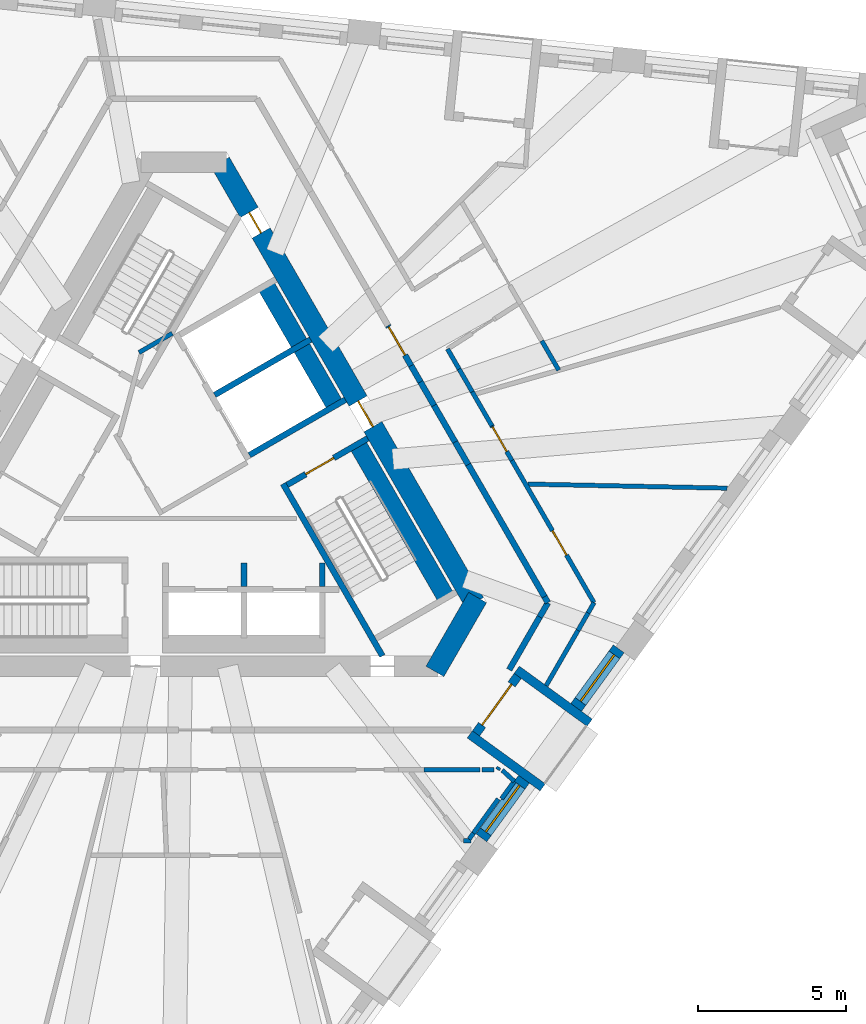
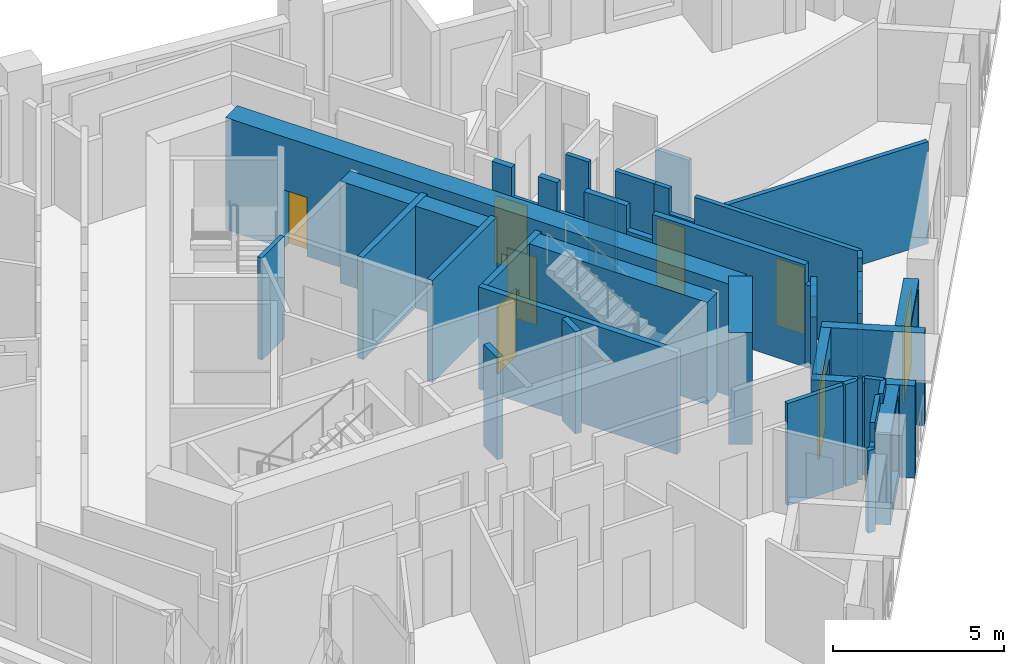
# One storey, part 5 of 11: 43 walls, 7 doors, 2 windows, 9 openings.
"""IFC4 building model written with IfcOpenShell, lengths in metres."""

from ifc_helpers import new_model, si_unit, direction, frame, frame_2d, origin, place, context, subcontext, project, spatial, polyline, rectangle, outline, extrude, material, layer, layer_set, type_object, element, fill, save


model = new_model("IFC4")

# Units and contexts
model_context = context("Model", 3, precision=1e-05, world=origin(), true_north=direction((0.0, 1.0)))
body_context = subcontext(model_context, "Body", "Model", "MODEL_VIEW")
ifc_project = project(units=[si_unit("LENGTHUNIT", "METRE"), si_unit("AREAUNIT", "SQUARE_METRE"), si_unit("VOLUMEUNIT", "CUBIC_METRE"), si_unit("PLANEANGLEUNIT", "RADIAN"), si_unit("MASSUNIT", "GRAM", prefix="KILO")], contexts=[model_context])

# Site, building, storey
site_placement = place(None, origin())
site = spatial("IfcSite", under=ifc_project, at=site_placement, CompositionType="ELEMENT")
building_placement = place(site_placement, origin())
building = spatial("IfcBuilding", under=site, at=building_placement, Name="Tramontana Tower", CompositionType="ELEMENT")
storey_placement = place(building_placement, frame((0.0, 0.0, 257.199951171875)))
storey = spatial("IfcBuildingStorey", under=building, at=storey_placement, Name="L60", CompositionType="ELEMENT", Elevation=257.199951171875)

# Wall
ifc_material_1 = material(Name="Concrete 70 MPa", Category="concrete")
ifc_layer_1 = layer(ifc_material_1, 0.699951171875)
ifc_layer_set_1 = layer_set([ifc_layer_1], Name="Core wall 700 70 MPa")
wall_type_1 = type_object("IfcWallType", Name="Core wall 700 70 MPa", PredefinedType="SHEAR", material=ifc_layer_set_1)
wall_1_placement = place(storey_placement, frame((8.50146484375, -6.574951171875, 0.0), z_axis=(0.0, 0.0, 1.0), x_axis=(0.499995765644, 0.866027848477, 0.0)))
element("IfcWall", 1, at=wall_1_placement, inside=storey, type_object=wall_type_1, Name="Core wall C4 L60", PredefinedType="SHEAR", context=body_context, shape_type="SweptSolid", body=[
    extrude(rectangle(XDim=2.88671875, YDim=0.699951171875, at=frame_2d((1.443359375, 0.0))), origin(), (0.0, 0.0, 1.0), 4.0),
])

# Wall, openings, doors
wall_2_placement = place(storey_placement, frame((9.84375, -4.25, 0.0), z_axis=(0.0, 0.0, 1.0), x_axis=(-0.500003331888, 0.866023480109, 0.0)))
wall_2 = element("IfcWall", 2, at=wall_2_placement, inside=storey, type_object=wall_type_1, Name="Core wall C5 L60", PredefinedType="SHEAR", context=body_context, shape_type="SweptSolid", body=[
    extrude(rectangle(XDim=17.205078125, YDim=0.699951171875, at=frame_2d((8.6025390625, 0.0))), origin(), (0.0, 0.0, 1.0), 4.0),
])
opening_1_placement = place(wall_2_placement, frame((6.87744140625, 0.0, 0.0)))
opening_1 = element("IfcOpeningElement", 3, at=opening_1_placement, cuts=wall_2, Name="Opening RG3", PredefinedType="OPENING", context=body_context, shape_type="SweptSolid", body=[
    extrude(rectangle(XDim=1.0, YDim=2.39990234375, at=frame_2d((0.5, 1.199951171875))), frame((0.0, 0.35986328125, 0.0), z_axis=(0.0, -1.0, 0.0), x_axis=(1.0, 0.0, 0.0)), (0.0, 0.0, 1.0), 0.719970703125),
])
opening_2_placement = place(wall_2_placement, frame((14.445068359375, 0.0, 0.0)))
opening_2 = element("IfcOpeningElement", 4, at=opening_2_placement, cuts=wall_2, Name="Opening PD3", PredefinedType="OPENING", context=body_context, shape_type="SweptSolid", body=[
    extrude(rectangle(XDim=0.800048828125, YDim=2.10009765625, at=frame_2d((0.39990234375, 1.050048828125))), frame((0.0, 0.35986328125, 0.0), z_axis=(0.0, -1.0, 0.0), x_axis=(1.0, 0.0, 0.0)), (0.0, 0.0, 1.0), 0.719970703125),
])
ifc_material_2 = material(Name="Painted steel", Category="steel")
door_type_1 = type_object("IfcDoorType", Name="CUPBOARD DOOR 800", OperationType="SINGLE_SWING_LEFT", PredefinedType="DOOR", material=ifc_material_2)
door_1_placement = place(opening_2_placement, origin())
door_1 = element("IfcDoor", 5, at=door_1_placement, inside=storey, type_object=door_type_1, Name="Door PD3", OperationType="SINGLE_SWING_RIGHT", OverallHeight=2.10009765625, OverallWidth=0.800048828125, PredefinedType="DOOR", context=body_context, shape_type="SweptSolid", body=[
    extrude(rectangle(XDim=0.800048828125, YDim=2.10009765625, at=frame_2d((0.39990234375, 1.050048828125))), frame((0.0, 0.02490234375, 0.0), z_axis=(0.0, -1.0, 0.0), x_axis=(1.0, 0.0, 0.0)), (0.0, 0.0, 1.0), 0.050048828125),
])
fill(opening_2, door_1)
ifc_material_3 = material(Name="Painted steel", Category="steel")
door_type_2 = type_object("IfcDoorType", Name="RING DOOR 1000", OperationType="SINGLE_SWING_LEFT", PredefinedType="DOOR", material=ifc_material_3)
door_2_placement = place(opening_1_placement, origin())
door_2 = element("IfcDoor", 6, at=door_2_placement, inside=storey, type_object=door_type_2, Name="Door RG3", OperationType="SINGLE_SWING_RIGHT", OverallHeight=2.39990234375, OverallWidth=1.0, PredefinedType="DOOR", context=body_context, shape_type="SweptSolid", body=[
    extrude(rectangle(XDim=1.0, YDim=2.39990234375, at=frame_2d((0.5, 1.199951171875))), frame((0.0, 0.02490234375, 0.0), z_axis=(0.0, -1.0, 0.0), x_axis=(1.0, 0.0, 0.0)), (0.0, 0.0, 1.0), 0.050048828125),
])
fill(opening_1, door_2)

# Walls
ifc_material_4 = material(Name="Blockwork", Category="masonry")
ifc_layer_2 = layer(ifc_material_4, 0.199951171875)
ifc_layer_set_2 = layer_set([ifc_layer_2], Name="ENTRY WALL 200")
wall_type_2 = type_object("IfcWallType", Name="ENTRY WALL 200", PredefinedType="SOLIDWALL", material=ifc_layer_set_2)
wall_3_placement = place(storey_placement, frame((12.326416015625, -4.25, 0.0), z_axis=(0.0, 0.0, 1.0), x_axis=(-0.500000383388, -0.866025182435, 0.0)))
element("IfcWall", 7, at=wall_3_placement, inside=storey, type_object=wall_type_2, Name="Wall v61-ew0-0", PredefinedType="SOLIDWALL", context=body_context, shape_type="SweptSolid", body=[
    extrude(rectangle(XDim=0.5576171875, YDim=0.199951171875, at=frame_2d((0.27880859375, 0.0))), origin(), (0.0, 0.0, 1.0), 2.949951171875),
])
wall_4_placement = place(storey_placement, frame((12.047607421875, -4.73291015625, 0.0), z_axis=(0.0, 0.0, 1.0), x_axis=(-0.499958106649, -0.866049589571, 0.0)))
element("IfcWall", 8, at=wall_4_placement, inside=storey, type_object=wall_type_2, Name="Wall v61-ew0-1", PredefinedType="SOLIDWALL", context=body_context, shape_type="SweptSolid", body=[
    extrude(rectangle(XDim=2.062744140625, YDim=0.199951171875, at=frame_2d((1.03125, 0.0))), origin(), (0.0, 0.0, 1.0), 3.650146484375),
])

# Wall, opening, door
wall_5_placement = place(storey_placement, frame((6.914306640625, 5.124267578125, 0.0), z_axis=(0.0, 0.0, 1.0), x_axis=(0.499861922145, -0.866105108396, 0.0)))
wall_5 = element("IfcWall", 9, at=wall_5_placement, inside=storey, type_object=wall_type_2, Name="Wall v61-ew5-5", PredefinedType="SOLIDWALL", context=body_context, shape_type="SweptSolid", body=[
    extrude(outline(polyline([(0.0, 0.0), (1.56591796875, 0.0), (1.56591796875, 2.550048828125), (0.665771484375, 2.550048828125), (0.665771484375, 3.650146484375), (0.0, 3.650146484375), (0.0, 0.0)])), frame((0.0, 0.10009765625, 0.0), z_axis=(0.0, -1.0, 0.0), x_axis=(1.0, 0.0, 0.0)), (0.0, 0.0, 1.0), 0.199951171875),
])
opening_3_placement = place(wall_5_placement, frame((0.050048828125, 0.0, 0.0)))
opening_3 = element("IfcOpeningElement", 10, at=opening_3_placement, cuts=wall_5, Name="Opening B6B-23", PredefinedType="OPENING", context=body_context, shape_type="SweptSolid", body=[
    extrude(rectangle(XDim=1.10009765625, YDim=2.39990234375, at=frame_2d((0.550048828125, 1.199951171875))), frame((0.0, 0.10986328125, 0.0), z_axis=(0.0, -1.0, 0.0), x_axis=(1.0, 0.0, 0.0)), (0.0, 0.0, 1.0), 0.219970703125),
])
ifc_material_5 = material(Name="Painted timber", Category="wood")
door_type_3 = type_object("IfcDoorType", Name="DOOR ENTRY 1100", OperationType="SINGLE_SWING_LEFT", PredefinedType="DOOR", material=ifc_material_5)
door_3_placement = place(opening_3_placement, origin())
door_3 = element("IfcDoor", 11, at=door_3_placement, inside=storey, type_object=door_type_3, Name="Door B6B-23", OperationType="SINGLE_SWING_LEFT", OverallHeight=2.39990234375, OverallWidth=1.10009765625, PredefinedType="DOOR", context=body_context, shape_type="SweptSolid", body=[
    extrude(rectangle(XDim=1.10009765625, YDim=2.39990234375, at=frame_2d((0.550048828125, 1.199951171875))), frame((0.0, 0.02490234375, 0.0), z_axis=(0.0, -1.0, 0.0), x_axis=(1.0, 0.0, 0.0)), (0.0, 0.0, 1.0), 0.050048828125),
])
fill(opening_3, door_3)

# Walls
wall_6_placement = place(storey_placement, frame((7.697021484375, 3.76806640625, 0.0), z_axis=(0.0, 0.0, 1.0), x_axis=(0.50012328804, -0.865954211699, 0.0)))
element("IfcWall", 12, at=wall_6_placement, inside=storey, type_object=wall_type_2, Name="Wall v61-ew5-6", PredefinedType="SOLIDWALL", context=body_context, shape_type="SweptSolid", body=[
    extrude(rectangle(XDim=0.632568359375, YDim=0.199951171875, at=frame_2d((0.31640625, 0.0))), origin(), (0.0, 0.0, 1.0), 3.650146484375),
])
wall_7_placement = place(storey_placement, frame((8.013427734375, 3.22021484375, 0.0), z_axis=(0.0, 0.0, 1.0), x_axis=(0.500175591747, -0.865924002104, 0.0)))
element("IfcWall", 13, at=wall_7_placement, inside=storey, type_object=wall_type_2, Name="Wall v61-ew5-7", PredefinedType="SOLIDWALL", context=body_context, shape_type="SweptSolid", body=[
    extrude(rectangle(XDim=0.917236328125, YDim=0.199951171875, at=frame_2d((0.45849609375, 0.0))), origin(), (0.0, 0.0, 1.0), 2.550048828125),
])
wall_8_placement = place(storey_placement, frame((8.47216796875, 2.426025390625, 0.0), z_axis=(0.0, 0.0, 1.0), x_axis=(0.499904796234, -0.866080362727, 0.0)))
element("IfcWall", 14, at=wall_8_placement, inside=storey, type_object=wall_type_2, Name="Wall v61-ew5-8", PredefinedType="SOLIDWALL", context=body_context, shape_type="SweptSolid", body=[
    extrude(rectangle(XDim=1.429443359375, YDim=0.199951171875, at=frame_2d((0.71484375, 0.0))), origin(), (0.0, 0.0, 1.0), 3.650146484375),
])
wall_9_placement = place(storey_placement, frame((9.186767578125, 1.18798828125, 0.0), z_axis=(0.0, 0.0, 1.0), x_axis=(0.500121072013, -0.86595549154, 0.0)))
element("IfcWall", 15, at=wall_9_placement, inside=storey, type_object=wall_type_2, Name="Wall v61-ew5-9", PredefinedType="SOLIDWALL", context=body_context, shape_type="SweptSolid", body=[
    extrude(rectangle(XDim=0.883544921875, YDim=0.199951171875, at=frame_2d((0.44189453125, 0.0))), origin(), (0.0, 0.0, 1.0), 2.75),
])
wall_10_placement = place(storey_placement, frame((9.628662109375, 0.4228515625, 0.0), z_axis=(0.0, 0.0, 1.0), x_axis=(0.499995433041, -0.866028040503, 0.0)))
element("IfcWall", 16, at=wall_10_placement, inside=storey, type_object=wall_type_2, Name="Wall v61-ew5-10", PredefinedType="SOLIDWALL", context=body_context, shape_type="SweptSolid", body=[
    extrude(rectangle(XDim=5.1611328125, YDim=0.199951171875, at=frame_2d((2.58056640625, 0.0))), origin(), (0.0, 0.0, 1.0), 3.650146484375),
])
wall_11_placement = place(storey_placement, frame((12.209228515625, -4.046875, 0.0), z_axis=(0.0, 0.0, 1.0), x_axis=(0.49972245349, -0.866185586049, 0.0)))
element("IfcWall", 17, at=wall_11_placement, inside=storey, type_object=wall_type_2, Name="Wall v61-ew5-11", PredefinedType="SOLIDWALL", context=body_context, shape_type="SweptSolid", body=[
    extrude(rectangle(XDim=0.234619140625, YDim=0.199951171875, at=frame_2d((0.1171875, 0.0))), origin(), (0.0, 0.0, 1.0), 2.949951171875),
])

# Wall, opening, window
ifc_material_6 = material(Name="Precast concrete 60 MPa", Category="concrete")
ifc_layer_3 = layer(ifc_material_6, 0.449951171875)
ifc_layer_set_3 = layer_set([ifc_layer_3], Name="Precast concrete 60 MPa, 450 mm")
wall_type_3 = type_object("IfcWallType", Name="EW1 Stone-faced precast wall 450", PredefinedType="SOLIDWALL", material=ifc_layer_set_3)
wall_12_placement = place(storey_placement, frame((10.074462890625, -12.2060546875, 0.0), z_axis=(0.0, 0.0, 1.0), x_axis=(0.587792773076, 0.809011530152, 0.0)))
wall_12 = element("IfcWall", 18, at=wall_12_placement, inside=storey, type_object=wall_type_3, Name="External wall L60 face 1 bay 3", PredefinedType="SOLIDWALL", context=body_context, shape_type="SweptSolid", body=[
    extrude(rectangle(XDim=2.4521484375, YDim=0.449951171875, at=frame_2d((1.22607421875, 0.0))), origin(), (0.0, 0.0, 1.0), 3.300048828125),
])
opening_4_placement = place(wall_12_placement, frame((0.251220703125, 0.0, 0.39990234375)))
opening_4 = element("IfcOpeningElement", 19, at=opening_4_placement, cuts=wall_12, Name="Opening M3", PredefinedType="OPENING", context=body_context, shape_type="SweptSolid", body=[
    extrude(rectangle(XDim=1.949951171875, YDim=2.75, at=frame_2d((0.97509765625, 1.375))), frame((0.0, 0.23486328125, 0.0), z_axis=(0.0, -1.0, 0.0), x_axis=(1.0, 0.0, 0.0)), (0.0, 0.0, 1.0), 0.469970703125),
])
ifc_material_7 = material(Name="Aluminum frame, double glazing unit", Category="aluminium")
window_type = type_object("IfcWindowType", Name="M3 Window 1.95 x 2.75", PartitioningType="SINGLE_PANEL", PredefinedType="WINDOW", material=ifc_material_7)
window_1_placement = place(opening_4_placement, origin())
window_1 = element("IfcWindow", 20, at=window_1_placement, inside=storey, type_object=window_type, Name="Window M3 L60 face 1 module 7", OverallHeight=2.75, OverallWidth=1.949951171875, PartitioningType="SINGLE_PANEL", PredefinedType="WINDOW", context=body_context, shape_type="SweptSolid", body=[
    extrude(rectangle(XDim=1.949951171875, YDim=2.75, at=frame_2d((0.97509765625, 1.375))), frame((0.0, 0.030029296875, 0.0), z_axis=(0.0, -1.0, 0.0), x_axis=(1.0, 0.0, 0.0)), (0.0, 0.0, 1.0), 0.06005859375),
])
fill(opening_4, window_1)

wall_13_placement = place(storey_placement, frame((13.280517578125, -7.79345703125, 0.0), z_axis=(0.0, 0.0, 1.0), x_axis=(0.587792773076, 0.809011530152, 0.0)))
wall_13 = element("IfcWall", 21, at=wall_13_placement, inside=storey, type_object=wall_type_3, Name="External wall L60 face 1 bay 3", PredefinedType="SOLIDWALL", context=body_context, shape_type="SweptSolid", body=[
    extrude(rectangle(XDim=2.4521484375, YDim=0.449951171875, at=frame_2d((1.22607421875, 0.0))), origin(), (0.0, 0.0, 1.0), 3.300048828125),
])
opening_5_placement = place(wall_13_placement, frame((0.251220703125, 0.0, 0.39990234375)))
opening_5 = element("IfcOpeningElement", 22, at=opening_5_placement, cuts=wall_13, Name="Opening M3", PredefinedType="OPENING", context=body_context, shape_type="SweptSolid", body=[
    extrude(rectangle(XDim=1.949951171875, YDim=2.75, at=frame_2d((0.97509765625, 1.375))), frame((0.0, 0.23486328125, 0.0), z_axis=(0.0, -1.0, 0.0), x_axis=(1.0, 0.0, 0.0)), (0.0, 0.0, 1.0), 0.469970703125),
])
window_2_placement = place(opening_5_placement, origin())
window_2 = element("IfcWindow", 23, at=window_2_placement, inside=storey, type_object=window_type, Name="Window M3 L60 face 1 module 9", OverallHeight=2.75, OverallWidth=1.949951171875, PartitioningType="SINGLE_PANEL", PredefinedType="WINDOW", context=body_context, shape_type="SweptSolid", body=[
    extrude(rectangle(XDim=1.949951171875, YDim=2.75, at=frame_2d((0.97509765625, 1.375))), frame((0.0, 0.030029296875, 0.0), z_axis=(0.0, -1.0, 0.0), x_axis=(1.0, 0.0, 0.0)), (0.0, 0.0, 1.0), 0.06005859375),
])
fill(opening_5, window_2)

# Wall, opening, door
ifc_material_8 = material(Name="Precast concrete 60 MPa", Category="concrete")
ifc_layer_4 = layer(ifc_material_8, 0.300048828125)
ifc_layer_set_4 = layer_set([ifc_layer_4], Name="LW1 Stone-faced loggia wall 300")
wall_type_4 = type_object("IfcWallType", Name="LW1 Stone-faced loggia wall 300", PredefinedType="SOLIDWALL", material=ifc_layer_set_4)
wall_14_placement = place(storey_placement, frame((9.89208984375, -8.671630859375, 0.0), z_axis=(0.0, 0.0, 1.0), x_axis=(0.587833242688, 0.808982125137, 0.0)))
wall_14 = element("IfcWall", 24, at=wall_14_placement, inside=storey, type_object=wall_type_4, Name="Loggia wall L60 G6S1.7", PredefinedType="SOLIDWALL", context=body_context, shape_type="SweptSolid", body=[
    extrude(rectangle(XDim=2.40234375, YDim=0.300048828125, at=frame_2d((1.201171875, 0.0))), origin(), (0.0, 0.0, 1.0), 3.300048828125),
])
opening_6_placement = place(wall_14_placement, frame((0.35107421875, 0.0, 0.0)))
opening_6 = element("IfcOpeningElement", 25, at=opening_6_placement, cuts=wall_14, Name="Opening BD-6S1-07", PredefinedType="OPENING", context=body_context, shape_type="SweptSolid", body=[
    extrude(rectangle(XDim=1.699951171875, YDim=2.5, at=frame_2d((0.85009765625, 1.25))), frame((0.0, 0.159912109375, 0.0), z_axis=(0.0, -1.0, 0.0), x_axis=(1.0, 0.0, 0.0)), (0.0, 0.0, 1.0), 0.320068359375),
])
ifc_material_9 = material(Name="Aluminum frame, double glazing unit", Category="aluminium")
door_type_4 = type_object("IfcDoorType", Name="BD3 Sliding door 1.7 x 2.5", OperationType="SLIDING_TO_LEFT", PredefinedType="DOOR", material=ifc_material_9)
door_4_placement = place(opening_6_placement, origin())
door_4 = element("IfcDoor", 26, at=door_4_placement, inside=storey, type_object=door_type_4, Name="Loggia door L60 G6S1.7", OperationType="SLIDING_TO_LEFT", OverallHeight=2.5, OverallWidth=1.699951171875, PredefinedType="DOOR", context=body_context, shape_type="SweptSolid", body=[
    extrude(rectangle(XDim=1.699951171875, YDim=2.5, at=frame_2d((0.85009765625, 1.25))), frame((0.0, 0.02490234375, 0.0), z_axis=(0.0, -1.0, 0.0), x_axis=(1.0, 0.0, 0.0)), (0.0, 0.0, 1.0), 0.050048828125),
])
fill(opening_6, door_4)

# Walls
for number, where, z_axis, x_axis, name in (
    (27, (12.150146484375, -10.49755859375, 0.0), (0.0, 0.0, 1.0), (-0.80902328748, 0.587776590479, 0.0), "Loggia return L60 G6S1.7a"),
    (28, (13.738525390625, -8.3115234375, 0.0), (0.0, 0.0, 1.0), (-0.80902328748, 0.587776590479, 0.0), "Loggia return L60 G6S1.7b"),
):
    element("IfcWall", number, at=place(storey_placement, frame(where, z_axis=z_axis, x_axis=x_axis)), inside=storey, type_object=wall_type_4, Name=name, PredefinedType="SOLIDWALL", context=body_context, shape_type="SweptSolid", body=[
        extrude(rectangle(XDim=3.050048828125, YDim=0.300048828125, at=frame_2d((1.52490234375, 0.0))), origin(), (0.0, 0.0, 1.0), 3.300048828125),
    ])
ifc_material_10 = material(Name="Gypsum board partition")
ifc_layer_5 = layer(ifc_material_10, 0.14990234375)
ifc_layer_set_5 = layer_set([ifc_layer_5], Name="PARTITION 150")
wall_type_5 = type_object("IfcWallType", Name="PARTITION 150", PredefinedType="PARTITIONING", material=ifc_layer_set_5)
wall_15_placement = place(storey_placement, frame((-1.509765625, 4.21484375, 0.0), z_axis=(0.0, 0.0, 1.0), x_axis=(0.866085525409, 0.49989585183, 0.0)))
element("IfcWall", 29, at=wall_15_placement, inside=storey, type_object=wall_type_5, Name="Wall ff-end1", PredefinedType="PARTITIONING", context=body_context, shape_type="SweptSolid", body=[
    extrude(rectangle(XDim=1.300048828125, YDim=0.14990234375, at=frame_2d((0.64990234375, 0.0))), origin(), (0.0, 0.0, 1.0), 3.650146484375),
])
wall_16_placement = place(storey_placement, frame((8.928955078125, 4.334716796875, 0.0), z_axis=(0.0, 0.0, 1.0), x_axis=(0.499919935369, -0.866071624186, 0.0)))
element("IfcWall", 30, at=wall_16_placement, inside=storey, type_object=wall_type_5, Name="Wall v61-pw24-0", PredefinedType="PARTITIONING", context=body_context, shape_type="SweptSolid", body=[
    extrude(rectangle(XDim=0.784912109375, YDim=0.14990234375, at=frame_2d((0.392578125, 0.0))), origin(), (0.0, 0.0, 1.0), 3.650146484375),
])
wall_17_placement = place(storey_placement, frame((9.3212890625, 3.655029296875, 0.0), z_axis=(0.0, 0.0, 1.0), x_axis=(0.499967368674, -0.86604424267, 0.0)))
element("IfcWall", 31, at=wall_17_placement, inside=storey, type_object=wall_type_5, Name="Wall v61-pw24-1", PredefinedType="PARTITIONING", context=body_context, shape_type="SweptSolid", body=[
    extrude(rectangle(XDim=0.8916015625, YDim=0.14990234375, at=frame_2d((0.44580078125, 0.0))), origin(), (0.0, 0.0, 1.0), 2.550048828125),
])
wall_18_placement = place(storey_placement, frame((9.76708984375, 2.8828125, 0.0), z_axis=(0.0, 0.0, 1.0), x_axis=(0.50001992892, -0.866013897511, 0.0)))
element("IfcWall", 32, at=wall_18_placement, inside=storey, type_object=wall_type_5, Name="Wall v61-pw24-2", PredefinedType="PARTITIONING", context=body_context, shape_type="SweptSolid", body=[
    extrude(rectangle(XDim=1.326171875, YDim=0.14990234375, at=frame_2d((0.6630859375, 0.0))), origin(), (0.0, 0.0, 1.0), 3.650146484375),
])

# Wall, opening, door
wall_19_placement = place(storey_placement, frame((10.43017578125, 1.734375, 0.0), z_axis=(0.0, 0.0, 1.0), x_axis=(0.500076281877, -0.865981357942, 0.0)))
wall_19 = element("IfcWall", 33, at=wall_19_placement, inside=storey, type_object=wall_type_5, Name="Wall v61-pw24-3", PredefinedType="PARTITIONING", context=body_context, shape_type="SweptSolid", body=[
    extrude(outline(polyline([(0.0, 0.0), (1.353759765625, 0.0), (1.353759765625, 2.75), (0.497802734375, 2.75), (0.497802734375, 3.650146484375), (0.0, 3.650146484375), (0.0, 0.0)])), frame((0.0, 0.074951171875, 0.0), z_axis=(0.0, -1.0, 0.0), x_axis=(1.0, 0.0, 0.0)), (0.0, 0.0, 1.0), 0.14990234375),
])
opening_7_placement = place(wall_19_placement, frame((0.050048828125, 0.0, 0.0)))
opening_7 = element("IfcOpeningElement", 34, at=opening_7_placement, cuts=wall_19, Name="Opening B6B-17", PredefinedType="OPENING", context=body_context, shape_type="SweptSolid", body=[
    extrude(rectangle(XDim=0.949951171875, YDim=2.39990234375, at=frame_2d((0.47509765625, 1.199951171875))), frame((0.0, 0.0849609375, 0.0), z_axis=(0.0, -1.0, 0.0), x_axis=(1.0, 0.0, 0.0)), (0.0, 0.0, 1.0), 0.169921875),
])
ifc_material_11 = material(Name="Painted timber", Category="wood")
door_type_5 = type_object("IfcDoorType", Name="DOOR ROOM 950", OperationType="SINGLE_SWING_LEFT", PredefinedType="DOOR", material=ifc_material_11)
door_5_placement = place(opening_7_placement, origin())
door_5 = element("IfcDoor", 35, at=door_5_placement, inside=storey, type_object=door_type_5, Name="Door B6B-17", OperationType="SINGLE_SWING_LEFT", OverallHeight=2.39990234375, OverallWidth=0.949951171875, PredefinedType="DOOR", context=body_context, shape_type="SweptSolid", body=[
    extrude(rectangle(XDim=0.949951171875, YDim=2.39990234375, at=frame_2d((0.47509765625, 1.199951171875))), frame((0.0, 0.02490234375, 0.0), z_axis=(0.0, -1.0, 0.0), x_axis=(1.0, 0.0, 0.0)), (0.0, 0.0, 1.0), 0.050048828125),
])
fill(opening_7, door_5)

wall_20_placement = place(storey_placement, frame((11.107177734375, 0.56201171875, 0.0), z_axis=(0.0, 0.0, 1.0), x_axis=(0.499981090573, -0.866036320872, 0.0)))
wall_20 = element("IfcWall", 36, at=wall_20_placement, inside=storey, type_object=wall_type_5, Name="Wall v61-pw24-4", PredefinedType="PARTITIONING", context=body_context, shape_type="SweptSolid", body=[
    extrude(rectangle(XDim=5.556396484375, YDim=0.14990234375, at=frame_2d((2.7783203125, 0.0))), origin(), (0.0, 0.0, 1.0), 3.650146484375),
])
opening_8_placement = place(wall_20_placement, frame((2.7421875, 0.0, 0.0)))
opening_8 = element("IfcOpeningElement", 37, at=opening_8_placement, cuts=wall_20, Name="Opening B6B-18", PredefinedType="OPENING", context=body_context, shape_type="SweptSolid", body=[
    extrude(rectangle(XDim=0.949951171875, YDim=2.39990234375, at=frame_2d((0.47509765625, 1.199951171875))), frame((0.0, 0.0849609375, 0.0), z_axis=(0.0, -1.0, 0.0), x_axis=(1.0, 0.0, 0.0)), (0.0, 0.0, 1.0), 0.169921875),
])
door_6_placement = place(opening_8_placement, origin())
door_6 = element("IfcDoor", 38, at=door_6_placement, inside=storey, type_object=door_type_5, Name="Door B6B-18", OperationType="SINGLE_SWING_RIGHT", OverallHeight=2.39990234375, OverallWidth=0.949951171875, PredefinedType="DOOR", context=body_context, shape_type="SweptSolid", body=[
    extrude(rectangle(XDim=0.949951171875, YDim=2.39990234375, at=frame_2d((0.47509765625, 1.199951171875))), frame((0.0, 0.02490234375, 0.0), z_axis=(0.0, -1.0, 0.0), x_axis=(1.0, 0.0, 0.0)), (0.0, 0.0, 1.0), 0.050048828125),
])
fill(opening_8, door_6)

# Walls
wall_21_placement = place(storey_placement, frame((12.1171875, 4.612548828125, 0.0), z_axis=(0.0, 0.0, 1.0), x_axis=(0.499930806979, -0.866065348708, 0.0)))
element("IfcWall", 39, at=wall_21_placement, inside=storey, type_object=wall_type_5, Name="Wall v61-pw25-4", PredefinedType="PARTITIONING", context=body_context, shape_type="SweptSolid", body=[
    extrude(rectangle(XDim=1.149658203125, YDim=0.14990234375, at=frame_2d((0.57470703125, 0.0))), origin(), (0.0, 0.0, 1.0), 2.550048828125),
])
wall_22_placement = place(storey_placement, frame((9.728271484375, -12.300048828125, 0.0), z_axis=(0.0, 0.0, 1.0), x_axis=(-1.0, 0.0, 0.0)))
element("IfcWall", 40, at=wall_22_placement, inside=storey, type_object=wall_type_5, Name="Wall v61-pw27-0", PredefinedType="PARTITIONING", context=body_context, shape_type="SweptSolid", body=[
    extrude(rectangle(XDim=0.258056640625, YDim=0.14990234375, at=frame_2d((0.12890625, 0.0))), origin(), (0.0, 0.0, 1.0), 2.949951171875),
])
wall_23_placement = place(storey_placement, frame((10.0224609375, -9.89990234375, 0.0), z_axis=(0.0, 0.0, 1.0), x_axis=(-1.0, 0.0, 0.0)))
element("IfcWall", 41, at=wall_23_placement, inside=storey, type_object=wall_type_5, Name="Wall v61-pw28-0", PredefinedType="PARTITIONING", context=body_context, shape_type="SweptSolid", body=[
    extrude(rectangle(XDim=1.888427734375, YDim=0.14990234375, at=frame_2d((0.9443359375, 0.0))), origin(), (0.0, 0.0, 1.0), 3.650146484375),
])
wall_24_placement = place(storey_placement, frame((10.09228515625, -9.89990234375, 0.0), z_axis=(0.0, 0.0, 1.0), x_axis=(1.0, 0.0, 0.0)))
element("IfcWall", 42, at=wall_24_placement, inside=storey, type_object=wall_type_5, Name="Wall v61-pw29", PredefinedType="PARTITIONING", context=body_context, shape_type="SweptSolid", body=[
    extrude(rectangle(XDim=0.406982421875, YDim=0.14990234375, at=frame_2d((0.20361328125, 0.0))), origin(), (0.0, 0.0, 1.0), 3.650146484375),
])
wall_25_placement = place(storey_placement, frame((10.64794921875, -10.889404296875, 0.0), z_axis=(0.0, 0.0, 1.0), x_axis=(-0.587766191515, -0.809030842497, 0.0)))
element("IfcWall", 43, at=wall_25_placement, inside=storey, type_object=wall_type_5, Name="Wall v61-pw31-0", PredefinedType="PARTITIONING", context=body_context, shape_type="SweptSolid", body=[
    extrude(rectangle(XDim=1.43212890625, YDim=0.14990234375, at=frame_2d((0.716064453125, 0.0))), origin(), (0.0, 0.0, 1.0), 3.650146484375),
])
wall_26_placement = place(storey_placement, frame((9.80615234375, -12.048095703125, 0.0), z_axis=(0.0, 0.0, 1.0), x_axis=(-0.587880852015, -0.80894752848, 0.0)))
element("IfcWall", 44, at=wall_26_placement, inside=storey, type_object=wall_type_5, Name="Wall v61-pw31-1", PredefinedType="PARTITIONING", context=body_context, shape_type="SweptSolid", body=[
    extrude(rectangle(XDim=0.24951171875, YDim=0.14990234375, at=frame_2d((0.124755859375, 0.0))), origin(), (0.0, 0.0, 1.0), 2.949951171875),
])
wall_27_placement = place(storey_placement, frame((10.67041015625, -9.818603515625, 0.0), z_axis=(0.0, 0.0, 1.0), x_axis=(-0.501445883607, -0.865189011612, 0.0)))
element("IfcWall", 45, at=wall_27_placement, inside=storey, type_object=wall_type_5, Name="Wall v61-pw32", PredefinedType="PARTITIONING", context=body_context, shape_type="SweptSolid", body=[
    extrude(rectangle(XDim=0.093994140625, YDim=0.14990234375, at=frame_2d((0.046875, 0.0))), origin(), (0.0, 0.0, 1.0), 3.650146484375),
])
wall_28_placement = place(storey_placement, frame((10.780517578125, -9.91748046875, 0.0), z_axis=(0.0, 0.0, 1.0), x_axis=(0.736089499219, -0.67688422137, 0.0)))
element("IfcWall", 46, at=wall_28_placement, inside=storey, type_object=wall_type_5, Name="Wall v61-pw33", PredefinedType="PARTITIONING", context=body_context, shape_type="SweptSolid", body=[
    extrude(rectangle(XDim=0.552490234375, YDim=0.14990234375, at=frame_2d((0.2763671875, 0.0))), origin(), (0.0, 0.0, 1.0), 3.650146484375),
])
wall_29_placement = place(storey_placement, frame((11.187255859375, -10.29150390625, 0.0), z_axis=(0.0, 0.0, 1.0), x_axis=(-0.587635244976, -0.809125959825, 0.0)))
element("IfcWall", 47, at=wall_29_placement, inside=storey, type_object=wall_type_5, Name="Wall v61-pw34", PredefinedType="PARTITIONING", context=body_context, shape_type="SweptSolid", body=[
    extrude(rectangle(XDim=0.730712890625, YDim=0.14990234375, at=frame_2d((0.365234375, 0.0))), origin(), (0.0, 0.0, 1.0), 3.650146484375),
])
wall_30_placement = place(storey_placement, frame((13.88525390625, -4.25, 0.0), z_axis=(0.0, 0.0, 1.0), x_axis=(-0.499899443193, -0.866083452501, 0.0)))
element("IfcWall", 48, at=wall_30_placement, inside=storey, type_object=wall_type_5, Name="Wall v61-pw38-0", PredefinedType="PARTITIONING", context=body_context, shape_type="SweptSolid", body=[
    extrude(rectangle(XDim=0.39794921875, YDim=0.14990234375, at=frame_2d((0.198974609375, 0.0))), origin(), (0.0, 0.0, 1.0), 3.650146484375),
])
wall_31_placement = place(storey_placement, frame((13.686279296875, -4.5947265625, 0.0), z_axis=(0.0, 0.0, 1.0), x_axis=(-0.500081895979, -0.865978115955, 0.0)))
element("IfcWall", 49, at=wall_31_placement, inside=storey, type_object=wall_type_5, Name="Wall v61-pw38-1", PredefinedType="PARTITIONING", context=body_context, shape_type="SweptSolid", body=[
    extrude(rectangle(XDim=0.68603515625, YDim=0.14990234375, at=frame_2d((0.343017578125, 0.0))), origin(), (0.0, 0.0, 1.0), 2.949951171875),
])
wall_32_placement = place(storey_placement, frame((13.34326171875, -5.188720703125, 0.0), z_axis=(0.0, 0.0, 1.0), x_axis=(-0.499951176785, -0.866053590046, 0.0)))
element("IfcWall", 50, at=wall_32_placement, inside=storey, type_object=wall_type_5, Name="Wall v61-pw38-2", PredefinedType="PARTITIONING", context=body_context, shape_type="SweptSolid", body=[
    extrude(rectangle(XDim=2.156005859375, YDim=0.14990234375, at=frame_2d((1.078125, 0.0))), origin(), (0.0, 0.0, 1.0), 3.650146484375),
])
wall_33_placement = place(storey_placement, frame((18.392578125, -0.37451171875, 0.0), z_axis=(0.0, 0.0, 1.0), x_axis=(-0.999792692365, 0.020361048453, 0.0)))
element("IfcWall", 51, at=wall_33_placement, inside=storey, type_object=wall_type_5, Name="Wall v61-pw39", PredefinedType="PARTITIONING", context=body_context, shape_type="SweptSolid", body=[
    extrude(rectangle(XDim=6.73876953125, YDim=0.14990234375, at=frame_2d((3.369384765625, 0.0))), origin(), (0.0, 0.0, 1.0), 3.650146484375),
])
ifc_material_12 = material(Name="Concrete 70 MPa", Category="concrete")
ifc_layer_6 = layer(ifc_material_12, 0.60009765625)
ifc_layer_set_6 = layer_set([ifc_layer_6], Name="Concrete 70 MPa, 600 mm")
wall_type_6 = type_object("IfcWallType", Name="RC SHAFT BACK WALL 600", PredefinedType="SOLIDWALL", material=ifc_layer_set_6)
wall_34_placement = place(storey_placement, frame((8.93310546875, -4.17236328125, 0.0), z_axis=(0.0, 0.0, 1.0), x_axis=(-0.500026960575, 0.86600983753, 0.0)))
element("IfcWall", 52, at=wall_34_placement, inside=storey, type_object=wall_type_6, Name="Wall st3-back", PredefinedType="SOLIDWALL", context=body_context, shape_type="SweptSolid", body=[
    extrude(rectangle(XDim=6.199951171875, YDim=0.60009765625, at=frame_2d((3.10009765625, 0.0))), origin(), (0.0, 0.0, 1.0), 3.650146484375),
])
wall_35_placement = place(storey_placement, frame((5.177978515625, 2.331298828125, 0.0), z_axis=(0.0, 0.0, 1.0), x_axis=(-0.49998122708, 0.866036242063, 0.0)))
element("IfcWall", 53, at=wall_35_placement, inside=storey, type_object=wall_type_6, Name="Wall row2-back", PredefinedType="SOLIDWALL", context=body_context, shape_type="SweptSolid", body=[
    extrude(rectangle(XDim=4.900146484375, YDim=0.60009765625, at=frame_2d((2.4501953125, 0.0))), origin(), (0.0, 0.0, 1.0), 3.650146484375),
])
ifc_material_13 = material(Name="Concrete 70 MPa", Category="concrete")
ifc_layer_7 = layer(ifc_material_13, 0.199951171875)
ifc_layer_set_7 = layer_set([ifc_layer_7], Name="Concrete 70 MPa, 200 mm")
wall_type_7 = type_object("IfcWallType", Name="RC STAIR AND SHAFT WALL 200", PredefinedType="SOLIDWALL", material=ifc_layer_set_7)
wall_36_placement = place(storey_placement, frame((6.72607421875, -6.050048828125, 0.0), z_axis=(0.0, 0.0, 1.0), x_axis=(-0.499970804718, 0.866042259032, 0.0)))
element("IfcWall", 54, at=wall_36_placement, inside=storey, type_object=wall_type_7, Name="Wall st3-front", PredefinedType="SOLIDWALL", context=body_context, shape_type="SweptSolid", body=[
    extrude(rectangle(XDim=6.72265625, YDim=0.199951171875, at=frame_2d((3.361328125, 0.0))), origin(), (0.0, 0.0, 1.0), 3.650146484375),
])

# Wall, opening, door
wall_37_placement = place(storey_placement, frame((3.50146484375, -0.2646484375, 0.0), z_axis=(0.0, 0.0, 1.0), x_axis=(0.866035871367, 0.499981869177, 0.0)))
wall_37 = element("IfcWall", 55, at=wall_37_placement, inside=storey, type_object=wall_type_7, Name="Wall st3-near", PredefinedType="SOLIDWALL", context=body_context, shape_type="SweptSolid", body=[
    extrude(rectangle(XDim=3.14990234375, YDim=0.199951171875, at=frame_2d((1.574951171875, 0.0))), origin(), (0.0, 0.0, 1.0), 3.650146484375),
])
opening_9_placement = place(wall_37_placement, frame((0.72509765625, 0.0, 0.0)))
opening_9 = element("IfcOpeningElement", 56, at=opening_9_placement, cuts=wall_37, Name="Opening SD3", PredefinedType="OPENING", context=body_context, shape_type="SweptSolid", body=[
    extrude(rectangle(XDim=1.10009765625, YDim=2.39990234375, at=frame_2d((0.550048828125, 1.199951171875))), frame((0.0, 0.10986328125, 0.0), z_axis=(0.0, -1.0, 0.0), x_axis=(1.0, 0.0, 0.0)), (0.0, 0.0, 1.0), 0.219970703125),
])
ifc_material_14 = material(Name="Painted steel", Category="steel")
door_type_6 = type_object("IfcDoorType", Name="STAIR DOOR 1100", OperationType="SINGLE_SWING_LEFT", PredefinedType="DOOR", material=ifc_material_14)
door_7_placement = place(opening_9_placement, origin())
door_7 = element("IfcDoor", 57, at=door_7_placement, inside=storey, type_object=door_type_6, Name="Door SD3", OperationType="SINGLE_SWING_RIGHT", OverallHeight=2.39990234375, OverallWidth=1.10009765625, PredefinedType="DOOR", context=body_context, shape_type="SweptSolid", body=[
    extrude(rectangle(XDim=1.10009765625, YDim=2.39990234375, at=frame_2d((0.550048828125, 1.199951171875))), frame((0.0, 0.02490234375, 0.0), z_axis=(0.0, -1.0, 0.0), x_axis=(1.0, 0.0, 0.0)), (0.0, 0.0, 1.0), 0.050048828125),
])
fill(opening_9, door_7)

# Walls
for number, where, z_axis, x_axis, name in (
    (58, (2.0400390625, -2.89990234375, 0.0), (0.0, 0.0, 1.0), (0.0, -1.0, 0.0), "Wall row1-side1-ret"),
    (59, (4.68994140625, -2.89990234375, 0.0), (0.0, 0.0, 1.0), (0.0, -1.0, 0.0), "Wall row1-side2-ret"),
):
    element("IfcWall", number, at=place(storey_placement, frame(where, z_axis=z_axis, x_axis=x_axis)), inside=storey, type_object=wall_type_7, Name=name, PredefinedType="SOLIDWALL", context=body_context, shape_type="SweptSolid", body=[
        extrude(rectangle(XDim=0.800048828125, YDim=0.199951171875, at=frame_2d((0.39990234375, 0.0))), origin(), (0.0, 0.0, 1.0), 3.650146484375),
    ])
wall_38_placement = place(storey_placement, frame((2.226806640625, 0.742919921875, 0.0), z_axis=(0.0, 0.0, 1.0), x_axis=(0.866022959057, 0.500004234368, 0.0)))
element("IfcWall", 60, at=wall_38_placement, inside=storey, type_object=wall_type_7, Name="Wall row2-side0", PredefinedType="SOLIDWALL", context=body_context, shape_type="SweptSolid", body=[
    extrude(rectangle(XDim=3.75, YDim=0.199951171875, at=frame_2d((1.875, 0.0))), origin(), (0.0, 0.0, 1.0), 3.650146484375),
])
wall_39_placement = place(storey_placement, frame((1.0517578125, 2.778076171875, 0.0), z_axis=(0.0, 0.0, 1.0), x_axis=(0.866039234136, 0.499976044363, 0.0)))
element("IfcWall", 61, at=wall_39_placement, inside=storey, type_object=wall_type_7, Name="Wall row2-side1", PredefinedType="SOLIDWALL", context=body_context, shape_type="SweptSolid", body=[
    extrude(rectangle(XDim=3.750244140625, YDim=0.199951171875, at=frame_2d((1.875, 0.0))), origin(), (0.0, 0.0, 1.0), 3.650146484375),
])

save(model, "model.ifc")
